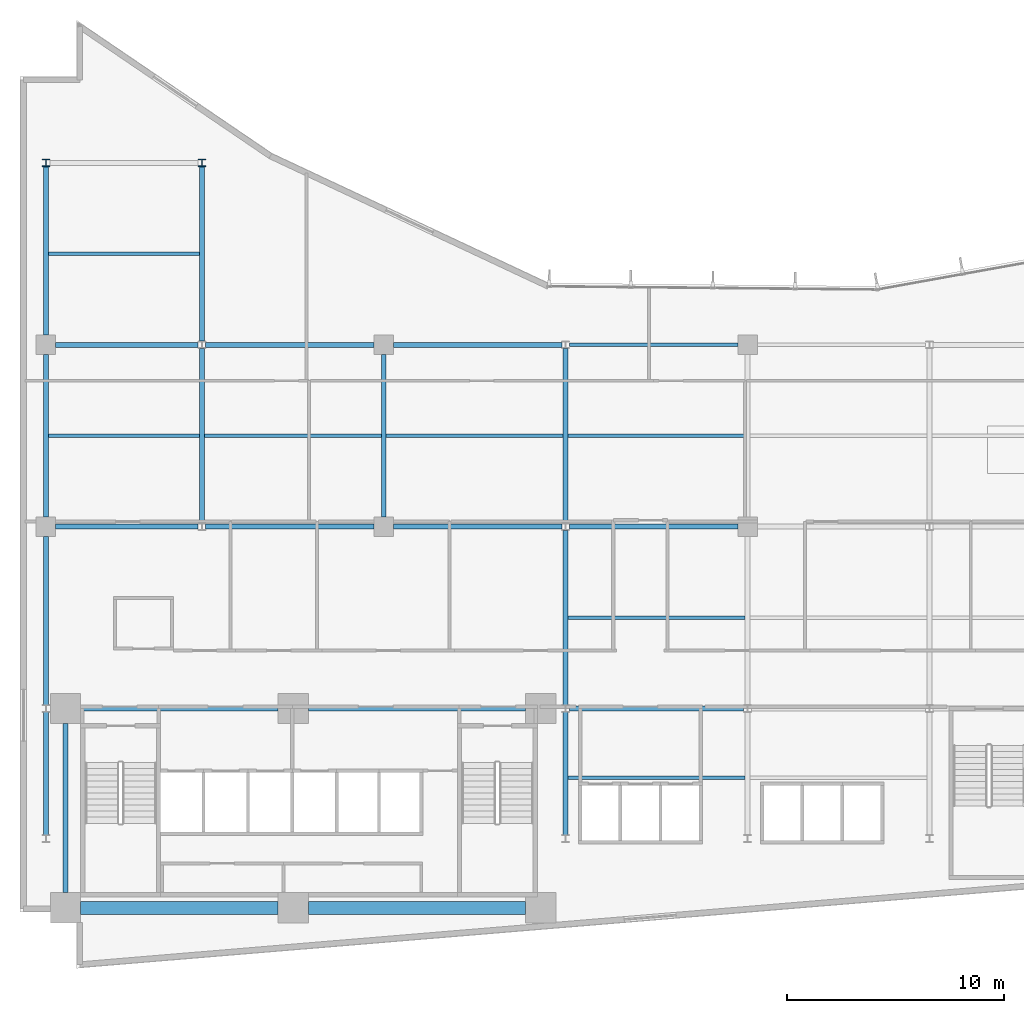
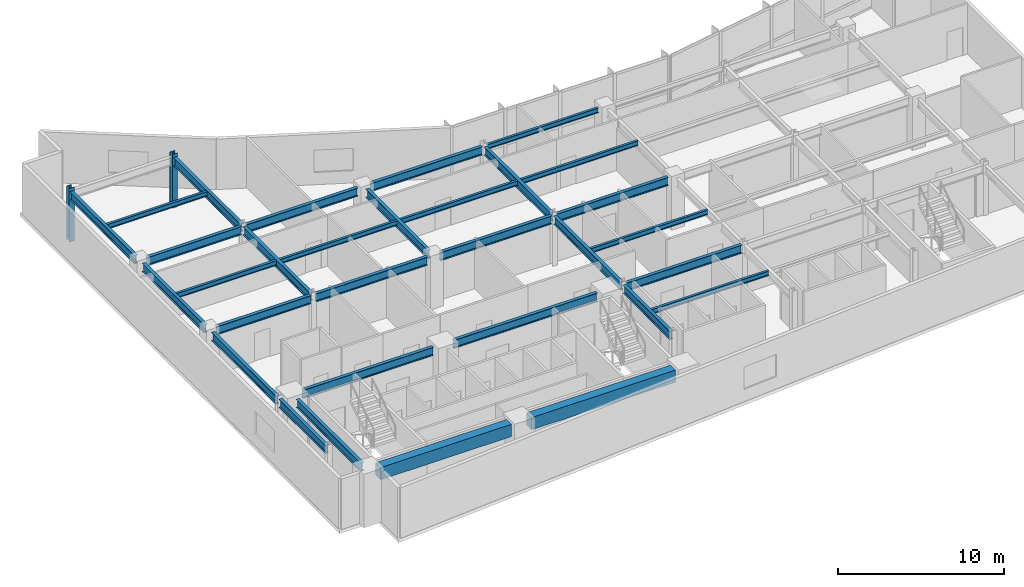
# One storey, part 3 of 18: 31 beams, 2 columns.
"""IFC4 building model written with IfcOpenShell, lengths in metres."""

from ifc_helpers import new_model, si_unit, direction, frame, origin, origin_2d, place, context, subcontext, project, spatial, rectangle, i_section, extrude, material, material_profile, profile_set, type_object, element, save


model = new_model("IFC4")

# Units and contexts
model_context = context("Model", 3, precision=1e-05, world=origin(), true_north=direction((0.0, 1.0)))
body_context = subcontext(model_context, "Body", "Model", "MODEL_VIEW")
ifc_project = project(units=[si_unit("LENGTHUNIT", "METRE"), si_unit("AREAUNIT", "SQUARE_METRE"), si_unit("VOLUMEUNIT", "CUBIC_METRE"), si_unit("PLANEANGLEUNIT", "RADIAN"), si_unit("MASSUNIT", "GRAM", prefix="KILO")], contexts=[model_context])

# Site, building, storey
site_placement = place(None, origin())
site = spatial("IfcSite", under=ifc_project, at=site_placement, CompositionType="ELEMENT")
building_placement = place(site_placement, origin())
building = spatial("IfcBuilding", under=site, at=building_placement, Name="Varnakote Quay Hospital", CompositionType="ELEMENT")
storey_placement = place(building_placement, frame((0.0, 0.0, 30.39990234375)))
storey = spatial("IfcBuildingStorey", under=building, at=storey_placement, Name="L07", CompositionType="ELEMENT", Elevation=30.39990234375)

# Columns
ifc_material_1 = material(Name="Structural steel AS/NZS 3678 Grade 350 (fy 340 MPa)", Category="steel")
ifc_material_profile_1 = material_profile(ifc_material_1, i_section(OverallWidth=0.35009765625, OverallDepth=0.340087890625, WebThickness=0.01611328125, FlangeThickness=0.028076171875, at=origin_2d()), Name="350WC197")
ifc_profile_set_1 = profile_set([ifc_material_profile_1], Name="Structural steel AS/NZS 3678 Grade 350 (fy 340 MPa)")
column_type = type_object("IfcColumnType", Name="COL-STL-350WC197", PredefinedType="COLUMN", material=ifc_profile_set_1)
for number, where, z_axis, x_axis, name in (
    (1, (1.199951171875, 37.199951171875, 0.0), (0.0, 0.0, 1.0), (1.0, 0.0, 0.0), "L07 Structural Column C-1-37"),
    (2, (8.39990234375, 37.199951171875, 0.0), (0.0, 0.0, 1.0), (1.0, 0.0, 0.0), "L07 Structural Column C-8-37"),
):
    element("IfcColumn", number, at=place(storey_placement, frame(where, z_axis=z_axis, x_axis=x_axis)), inside=storey, type_object=column_type, Name=name, PredefinedType="COLUMN", context=body_context, shape_type="SweptSolid", body=[
        extrude(i_section(OverallWidth=0.35009765625, OverallDepth=0.340087890625, WebThickness=0.01611328125, FlangeThickness=0.028076171875, at=origin_2d()), origin(), (0.0, 0.0, 1.0), 3.9501953125),
    ])

# Beams
ifc_material_2 = material(Name="Concrete N65 (f'c 65 MPa)", Category="concrete")
ifc_material_profile_2 = material_profile(ifc_material_2, rectangle(XDim=0.60009765625, YDim=0.89990234375, at=origin_2d()), Name="RC-BM-600x900")
ifc_profile_set_2 = profile_set([ifc_material_profile_2], Name="Concrete N65 (f'c 65 MPa)")
beam_type_1 = type_object("IfcBeamType", Name="BM-RC-600x900", PredefinedType="BEAM", material=ifc_profile_set_2)
beam_1_placement = place(storey_placement, frame((2.800048828125, 2.800048828125, 3.260009765625), z_axis=(1.0, 0.0, 0.0), x_axis=(0.0, 1.0, 0.0)))
element("IfcBeam", 3, at=beam_1_placement, inside=storey, type_object=beam_type_1, Name="L07 Core Rear Coupling Beam", PredefinedType="BEAM", context=body_context, shape_type="SweptSolid", body=[
    extrude(rectangle(XDim=0.60009765625, YDim=0.89990234375, at=origin_2d()), origin(), (0.0, 0.0, 1.0), 9.119873046875),
])
beam_2_placement = place(storey_placement, frame((13.320068359375, 2.800048828125, 3.260009765625), z_axis=(1.0, 0.0, 0.0), x_axis=(0.0, 1.0, 0.0)))
element("IfcBeam", 4, at=beam_2_placement, inside=storey, type_object=beam_type_1, Name="L07 Core Rear Coupling Beam", PredefinedType="BEAM", context=body_context, shape_type="SweptSolid", body=[
    extrude(rectangle(XDim=0.60009765625, YDim=0.89990234375, at=origin_2d()), origin(), (0.0, 0.0, 1.0), 10.030029296875),
])
ifc_material_3 = material(Name="Structural steel AS/NZS 3679.1 Grade 350 L0 (fy 340 MPa)", Category="steel")
ifc_material_profile_3 = material_profile(ifc_material_3, i_section(OverallWidth=0.22900390625, OverallDepth=0.612060546875, WebThickness=0.011962890625, FlangeThickness=0.01953125, FilletRadius=0.013916015625, at=origin_2d()), Name="610UB125")
ifc_profile_set_3 = profile_set([ifc_material_profile_3], Name="Structural steel AS/NZS 3679.1 Grade 350 L0 (fy 340 MPa)")
beam_type_2 = type_object("IfcBeamType", Name="BM-STL-610UB125", PredefinedType="BEAM", material=ifc_profile_set_3)
beam_3_placement = place(storey_placement, frame((2.800048828125, 12.0, 3.404052734375), z_axis=(1.0, 0.0, 0.0), x_axis=(0.0, 1.0, 0.0)))
element("IfcBeam", 5, at=beam_3_placement, inside=storey, type_object=beam_type_2, Name="L07 Primary Floor Beam", PredefinedType="BEAM", context=body_context, shape_type="SweptSolid", body=[
    extrude(i_section(OverallWidth=0.22900390625, OverallDepth=0.612060546875, WebThickness=0.011962890625, FlangeThickness=0.01953125, FilletRadius=0.013916015625, at=origin_2d()), origin(), (0.0, 0.0, 1.0), 9.119873046875),
])
beam_4_placement = place(storey_placement, frame((13.320068359375, 12.0, 3.404052734375), z_axis=(1.0, 0.0, 0.0), x_axis=(0.0, 1.0, 0.0)))
element("IfcBeam", 6, at=beam_4_placement, inside=storey, type_object=beam_type_2, Name="L07 Primary Floor Beam", PredefinedType="BEAM", context=body_context, shape_type="SweptSolid", body=[
    extrude(i_section(OverallWidth=0.22900390625, OverallDepth=0.612060546875, WebThickness=0.011962890625, FlangeThickness=0.01953125, FilletRadius=0.013916015625, at=origin_2d()), origin(), (0.0, 0.0, 1.0), 10.030029296875),
])
beam_5_placement = place(storey_placement, frame((25.375, 12.0, 3.404052734375), z_axis=(1.0, 0.0, 0.0), x_axis=(0.0, 1.0, 0.0)))
element("IfcBeam", 7, at=beam_5_placement, inside=storey, type_object=beam_type_2, Name="L07 Primary Floor Beam", PredefinedType="BEAM", context=body_context, shape_type="SweptSolid", body=[
    extrude(i_section(OverallWidth=0.22900390625, OverallDepth=0.612060546875, WebThickness=0.011962890625, FlangeThickness=0.01953125, FilletRadius=0.013916015625, at=origin_2d()), origin(), (0.0, 0.0, 1.0), 8.050048828125),
])
beam_6_placement = place(storey_placement, frame((1.64990234375, 20.39990234375, 3.404052734375), z_axis=(1.0, 0.0, 0.0), x_axis=(0.0, 1.0, 0.0)))
element("IfcBeam", 8, at=beam_6_placement, inside=storey, type_object=beam_type_2, Name="L07 Primary Floor Beam", PredefinedType="BEAM", context=body_context, shape_type="SweptSolid", body=[
    extrude(i_section(OverallWidth=0.22900390625, OverallDepth=0.612060546875, WebThickness=0.011962890625, FlangeThickness=0.01953125, FilletRadius=0.013916015625, at=origin_2d()), origin(), (0.0, 0.0, 1.0), 6.5751953125),
])
beam_7_placement = place(storey_placement, frame((8.574951171875, 20.39990234375, 3.404052734375), z_axis=(1.0, 0.0, 0.0), x_axis=(0.0, 1.0, 0.0)))
element("IfcBeam", 9, at=beam_7_placement, inside=storey, type_object=beam_type_2, Name="L07 Primary Floor Beam", PredefinedType="BEAM", context=body_context, shape_type="SweptSolid", body=[
    extrude(i_section(OverallWidth=0.22900390625, OverallDepth=0.612060546875, WebThickness=0.011962890625, FlangeThickness=0.01953125, FilletRadius=0.013916015625, at=origin_2d()), origin(), (0.0, 0.0, 1.0), 7.775146484375),
])
for number, where, z_axis, x_axis, name in (
    (10, (17.25, 20.39990234375, 3.404052734375), (1.0, 0.0, 0.0), (0.0, 1.0, 0.0), "L07 Primary Floor Beam"),
    (11, (25.375, 20.39990234375, 3.404052734375), (1.0, 0.0, 0.0), (0.0, 1.0, 0.0), "L07 Primary Floor Beam"),
):
    element("IfcBeam", number, at=place(storey_placement, frame(where, z_axis=z_axis, x_axis=x_axis)), inside=storey, type_object=beam_type_2, Name=name, PredefinedType="BEAM", context=body_context, shape_type="SweptSolid", body=[
        extrude(i_section(OverallWidth=0.22900390625, OverallDepth=0.612060546875, WebThickness=0.011962890625, FlangeThickness=0.01953125, FilletRadius=0.013916015625, at=origin_2d()), origin(), (0.0, 0.0, 1.0), 7.77490234375),
    ])
beam_8_placement = place(storey_placement, frame((1.64990234375, 28.800048828125, 3.404052734375), z_axis=(1.0, 0.0, 0.0), x_axis=(0.0, 1.0, 0.0)))
element("IfcBeam", 12, at=beam_8_placement, inside=storey, type_object=beam_type_2, Name="L07 Primary Floor Beam", PredefinedType="BEAM", context=body_context, shape_type="SweptSolid", body=[
    extrude(i_section(OverallWidth=0.22900390625, OverallDepth=0.612060546875, WebThickness=0.011962890625, FlangeThickness=0.01953125, FilletRadius=0.013916015625, at=origin_2d()), origin(), (0.0, 0.0, 1.0), 6.5751953125),
])
beam_9_placement = place(storey_placement, frame((8.574951171875, 28.800048828125, 3.404052734375), z_axis=(1.0, 0.0, 0.0), x_axis=(0.0, 1.0, 0.0)))
element("IfcBeam", 13, at=beam_9_placement, inside=storey, type_object=beam_type_2, Name="L07 Primary Floor Beam", PredefinedType="BEAM", context=body_context, shape_type="SweptSolid", body=[
    extrude(i_section(OverallWidth=0.22900390625, OverallDepth=0.612060546875, WebThickness=0.011962890625, FlangeThickness=0.01953125, FilletRadius=0.013916015625, at=origin_2d()), origin(), (0.0, 0.0, 1.0), 7.775146484375),
])
beam_10_placement = place(storey_placement, frame((17.25, 28.800048828125, 3.404052734375), z_axis=(1.0, 0.0, 0.0), x_axis=(0.0, 1.0, 0.0)))
element("IfcBeam", 14, at=beam_10_placement, inside=storey, type_object=beam_type_2, Name="L07 Primary Floor Beam", PredefinedType="BEAM", context=body_context, shape_type="SweptSolid", body=[
    extrude(i_section(OverallWidth=0.22900390625, OverallDepth=0.612060546875, WebThickness=0.011962890625, FlangeThickness=0.01953125, FilletRadius=0.013916015625, at=origin_2d()), origin(), (0.0, 0.0, 1.0), 7.77490234375),
])
beam_11_placement = place(storey_placement, frame((1.199951171875, 6.169921875, 3.404052734375), z_axis=(0.0, 1.0, 0.0), x_axis=(-1.0, 0.0, 0.0)))
element("IfcBeam", 15, at=beam_11_placement, inside=storey, type_object=beam_type_2, Name="L07 Primary Tie Beam", PredefinedType="BEAM", context=body_context, shape_type="SweptSolid", body=[
    extrude(i_section(OverallWidth=0.22900390625, OverallDepth=0.612060546875, WebThickness=0.011962890625, FlangeThickness=0.01953125, FilletRadius=0.013916015625, at=origin_2d()), origin(), (0.0, 0.0, 1.0), 5.66015625),
])
beam_12_placement = place(storey_placement, frame((1.199951171875, 12.169921875, 3.404052734375), z_axis=(0.0, 1.0, 0.0), x_axis=(-1.0, 0.0, 0.0)))
element("IfcBeam", 16, at=beam_12_placement, inside=storey, type_object=beam_type_2, Name="L07 Primary Tie Beam", PredefinedType="BEAM", context=body_context, shape_type="SweptSolid", body=[
    extrude(i_section(OverallWidth=0.22900390625, OverallDepth=0.612060546875, WebThickness=0.011962890625, FlangeThickness=0.01953125, FilletRadius=0.013916015625, at=origin_2d()), origin(), (0.0, 0.0, 1.0), 7.780029296875),
])
beam_13_placement = place(storey_placement, frame((1.199951171875, 20.85009765625, 3.404052734375), z_axis=(0.0, 1.0, 0.0), x_axis=(-1.0, 0.0, 0.0)))
element("IfcBeam", 17, at=beam_13_placement, inside=storey, type_object=beam_type_2, Name="L07 Primary Tie Beam", PredefinedType="BEAM", context=body_context, shape_type="SweptSolid", body=[
    extrude(i_section(OverallWidth=0.22900390625, OverallDepth=0.612060546875, WebThickness=0.011962890625, FlangeThickness=0.01953125, FilletRadius=0.013916015625, at=origin_2d()), origin(), (0.0, 0.0, 1.0), 7.5),
])
beam_14_placement = place(storey_placement, frame((1.199951171875, 29.25, 3.404052734375), z_axis=(0.0, 1.0, 0.0), x_axis=(-1.0, 0.0, 0.0)))
element("IfcBeam", 18, at=beam_14_placement, inside=storey, type_object=beam_type_2, Name="L07 Primary Tie Beam", PredefinedType="BEAM", context=body_context, shape_type="SweptSolid", body=[
    extrude(i_section(OverallWidth=0.22900390625, OverallDepth=0.612060546875, WebThickness=0.011962890625, FlangeThickness=0.01953125, FilletRadius=0.013916015625, at=origin_2d()), origin(), (0.0, 0.0, 1.0), 7.780029296875),
])
beam_15_placement = place(storey_placement, frame((2.10009765625, 3.5, 3.404052734375), z_axis=(0.0, 1.0, 0.0), x_axis=(-1.0, 0.0, 0.0)))
element("IfcBeam", 19, at=beam_15_placement, inside=storey, type_object=beam_type_2, Name="L07 Primary Tie Beam", PredefinedType="BEAM", context=body_context, shape_type="SweptSolid", body=[
    extrude(i_section(OverallWidth=0.22900390625, OverallDepth=0.612060546875, WebThickness=0.011962890625, FlangeThickness=0.01953125, FilletRadius=0.013916015625, at=origin_2d()), origin(), (0.0, 0.0, 1.0), 7.800048828125),
])
beam_16_placement = place(storey_placement, frame((8.39990234375, 20.570068359375, 3.404052734375), z_axis=(0.0, 1.0, 0.0), x_axis=(-1.0, 0.0, 0.0)))
element("IfcBeam", 20, at=beam_16_placement, inside=storey, type_object=beam_type_2, Name="L07 Primary Tie Beam", PredefinedType="BEAM", context=body_context, shape_type="SweptSolid", body=[
    extrude(i_section(OverallWidth=0.22900390625, OverallDepth=0.612060546875, WebThickness=0.011962890625, FlangeThickness=0.01953125, FilletRadius=0.013916015625, at=origin_2d()), origin(), (0.0, 0.0, 1.0), 8.059814453125),
])
beam_17_placement = place(storey_placement, frame((8.39990234375, 28.969970703125, 3.404052734375), z_axis=(0.0, 1.0, 0.0), x_axis=(-1.0, 0.0, 0.0)))
element("IfcBeam", 21, at=beam_17_placement, inside=storey, type_object=beam_type_2, Name="L07 Primary Tie Beam", PredefinedType="BEAM", context=body_context, shape_type="SweptSolid", body=[
    extrude(i_section(OverallWidth=0.22900390625, OverallDepth=0.612060546875, WebThickness=0.011962890625, FlangeThickness=0.01953125, FilletRadius=0.013916015625, at=origin_2d()), origin(), (0.0, 0.0, 1.0), 8.06005859375),
])
beam_18_placement = place(storey_placement, frame((16.800048828125, 20.85009765625, 3.404052734375), z_axis=(0.0, 1.0, 0.0), x_axis=(-1.0, 0.0, 0.0)))
element("IfcBeam", 22, at=beam_18_placement, inside=storey, type_object=beam_type_2, Name="L07 Primary Tie Beam", PredefinedType="BEAM", context=body_context, shape_type="SweptSolid", body=[
    extrude(i_section(OverallWidth=0.22900390625, OverallDepth=0.612060546875, WebThickness=0.011962890625, FlangeThickness=0.01953125, FilletRadius=0.013916015625, at=origin_2d()), origin(), (0.0, 0.0, 1.0), 7.5),
])
beam_19_placement = place(storey_placement, frame((25.199951171875, 6.169921875, 3.404052734375), z_axis=(0.0, 1.0, 0.0), x_axis=(-1.0, 0.0, 0.0)))
element("IfcBeam", 23, at=beam_19_placement, inside=storey, type_object=beam_type_2, Name="L07 Primary Tie Beam", PredefinedType="BEAM", context=body_context, shape_type="SweptSolid", body=[
    extrude(i_section(OverallWidth=0.22900390625, OverallDepth=0.612060546875, WebThickness=0.011962890625, FlangeThickness=0.01953125, FilletRadius=0.013916015625, at=origin_2d()), origin(), (0.0, 0.0, 1.0), 5.66015625),
])
beam_20_placement = place(storey_placement, frame((25.199951171875, 12.169921875, 3.404052734375), z_axis=(0.0, 1.0, 0.0), x_axis=(-1.0, 0.0, 0.0)))
element("IfcBeam", 24, at=beam_20_placement, inside=storey, type_object=beam_type_2, Name="L07 Primary Tie Beam", PredefinedType="BEAM", context=body_context, shape_type="SweptSolid", body=[
    extrude(i_section(OverallWidth=0.22900390625, OverallDepth=0.612060546875, WebThickness=0.011962890625, FlangeThickness=0.01953125, FilletRadius=0.013916015625, at=origin_2d()), origin(), (0.0, 0.0, 1.0), 8.06005859375),
])
beam_21_placement = place(storey_placement, frame((25.199951171875, 20.570068359375, 3.404052734375), z_axis=(0.0, 1.0, 0.0), x_axis=(-1.0, 0.0, 0.0)))
element("IfcBeam", 25, at=beam_21_placement, inside=storey, type_object=beam_type_2, Name="L07 Primary Tie Beam", PredefinedType="BEAM", context=body_context, shape_type="SweptSolid", body=[
    extrude(i_section(OverallWidth=0.22900390625, OverallDepth=0.612060546875, WebThickness=0.011962890625, FlangeThickness=0.01953125, FilletRadius=0.013916015625, at=origin_2d()), origin(), (0.0, 0.0, 1.0), 8.059814453125),
])
ifc_material_4 = material(Name="Structural steel AS/NZS 3679.1 Grade 350 L0 (fy 340 MPa)", Category="steel")
ifc_material_profile_4 = material_profile(ifc_material_4, i_section(OverallWidth=0.1708984375, OverallDepth=0.35595703125, WebThickness=0.00732421875, FlangeThickness=0.011474609375, FilletRadius=0.011474609375, at=origin_2d()), Name="360UB50.7")
ifc_profile_set_4 = profile_set([ifc_material_profile_4], Name="Structural steel AS/NZS 3679.1 Grade 350 L0 (fy 340 MPa)")
beam_type_3 = type_object("IfcBeamType", Name="JST-STL-360UB50-7", PredefinedType="JOIST", material=ifc_profile_set_4)
for number, where, z_axis, x_axis, name in (
    (26, (25.314453125, 8.800048828125, 3.531982421875), (1.0, 0.0, 0.0), (0.0, 1.0, 0.0), "L07 Composite Floor Joist"),
    (27, (25.314453125, 16.199951171875, 3.531982421875), (1.0, 0.0, 0.0), (0.0, 1.0, 0.0), "L07 Composite Floor Joist"),
):
    element("IfcBeam", number, at=place(storey_placement, frame(where, z_axis=z_axis, x_axis=x_axis)), inside=storey, type_object=beam_type_3, Name=name, PredefinedType="JOIST", context=body_context, shape_type="SweptSolid", body=[
        extrude(i_section(OverallWidth=0.1708984375, OverallDepth=0.35595703125, WebThickness=0.00732421875, FlangeThickness=0.011474609375, FilletRadius=0.011474609375, at=origin_2d()), origin(), (0.0, 0.0, 1.0), 8.171142578125),
    ])
beam_22_placement = place(storey_placement, frame((1.314453125, 24.60009765625, 3.531982421875), z_axis=(1.0, 0.0, 0.0), x_axis=(0.0, 1.0, 0.0)))
element("IfcBeam", 28, at=beam_22_placement, inside=storey, type_object=beam_type_3, Name="L07 Composite Floor Joist", PredefinedType="JOIST", context=body_context, shape_type="SweptSolid", body=[
    extrude(i_section(OverallWidth=0.1708984375, OverallDepth=0.35595703125, WebThickness=0.00732421875, FlangeThickness=0.011474609375, FilletRadius=0.011474609375, at=origin_2d()), origin(), (0.0, 0.0, 1.0), 6.970947265625),
])
beam_23_placement = place(storey_placement, frame((8.514404296875, 24.60009765625, 3.531982421875), z_axis=(1.0, 0.0, 0.0), x_axis=(0.0, 1.0, 0.0)))
element("IfcBeam", 29, at=beam_23_placement, inside=storey, type_object=beam_type_3, Name="L07 Composite Floor Joist", PredefinedType="JOIST", context=body_context, shape_type="SweptSolid", body=[
    extrude(i_section(OverallWidth=0.1708984375, OverallDepth=0.35595703125, WebThickness=0.00732421875, FlangeThickness=0.011474609375, FilletRadius=0.011474609375, at=origin_2d()), origin(), (0.0, 0.0, 1.0), 8.171142578125),
])
beam_24_placement = place(storey_placement, frame((16.91455078125, 24.60009765625, 3.531982421875), z_axis=(1.0, 0.0, 0.0), x_axis=(0.0, 1.0, 0.0)))
element("IfcBeam", 30, at=beam_24_placement, inside=storey, type_object=beam_type_3, Name="L07 Composite Floor Joist", PredefinedType="JOIST", context=body_context, shape_type="SweptSolid", body=[
    extrude(i_section(OverallWidth=0.1708984375, OverallDepth=0.35595703125, WebThickness=0.00732421875, FlangeThickness=0.011474609375, FilletRadius=0.011474609375, at=origin_2d()), origin(), (0.0, 0.0, 1.0), 8.1708984375),
])
beam_25_placement = place(storey_placement, frame((25.314453125, 24.60009765625, 3.531982421875), z_axis=(1.0, 0.0, 0.0), x_axis=(0.0, 1.0, 0.0)))
element("IfcBeam", 31, at=beam_25_placement, inside=storey, type_object=beam_type_3, Name="L07 Composite Floor Joist", PredefinedType="JOIST", context=body_context, shape_type="SweptSolid", body=[
    extrude(i_section(OverallWidth=0.1708984375, OverallDepth=0.35595703125, WebThickness=0.00732421875, FlangeThickness=0.011474609375, FilletRadius=0.011474609375, at=origin_2d()), origin(), (0.0, 0.0, 1.0), 8.171142578125),
])
beam_26_placement = place(storey_placement, frame((1.314453125, 33.0, 3.531982421875), z_axis=(1.0, 0.0, 0.0), x_axis=(0.0, 1.0, 0.0)))
element("IfcBeam", 32, at=beam_26_placement, inside=storey, type_object=beam_type_3, Name="L07 Composite Floor Joist", PredefinedType="JOIST", context=body_context, shape_type="SweptSolid", body=[
    extrude(i_section(OverallWidth=0.1708984375, OverallDepth=0.35595703125, WebThickness=0.00732421875, FlangeThickness=0.011474609375, FilletRadius=0.011474609375, at=origin_2d()), origin(), (0.0, 0.0, 1.0), 6.970947265625),
])
ifc_material_5 = material(Name="Structural steel AS/NZS 3679.1 Grade 350 L0 (fy 340 MPa)", Category="steel")
ifc_material_profile_5 = material_profile(ifc_material_5, i_section(OverallWidth=0.172119140625, OverallDepth=0.35888671875, WebThickness=0.008056640625, FlangeThickness=0.012939453125, FilletRadius=0.011474609375, at=origin_2d()), Name="360UB56.7")
ifc_profile_set_5 = profile_set([ifc_material_profile_5], Name="Structural steel AS/NZS 3679.1 Grade 350 L0 (fy 340 MPa)")
beam_type_4 = type_object("IfcBeamType", Name="SPN-STL-360UB56-7", PredefinedType="SPANDREL", material=ifc_profile_set_5)
beam_27_placement = place(storey_placement, frame((25.375, 28.800048828125, 3.530517578125), z_axis=(1.0, 0.0, 0.0), x_axis=(0.0, 1.0, 0.0)))
element("IfcBeam", 33, at=beam_27_placement, inside=storey, type_object=beam_type_4, Name="L07 Perimeter Spandrel Beam", PredefinedType="SPANDREL", context=body_context, shape_type="SweptSolid", body=[
    extrude(i_section(OverallWidth=0.172119140625, OverallDepth=0.35888671875, WebThickness=0.008056640625, FlangeThickness=0.012939453125, FilletRadius=0.011474609375, at=origin_2d()), origin(), (0.0, 0.0, 1.0), 7.77490234375),
])

save(model, "model.ifc")
